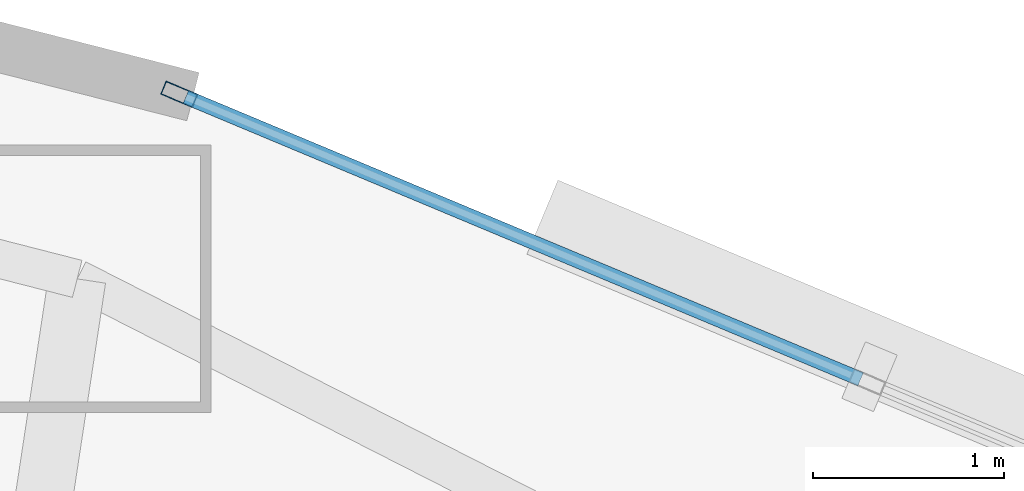
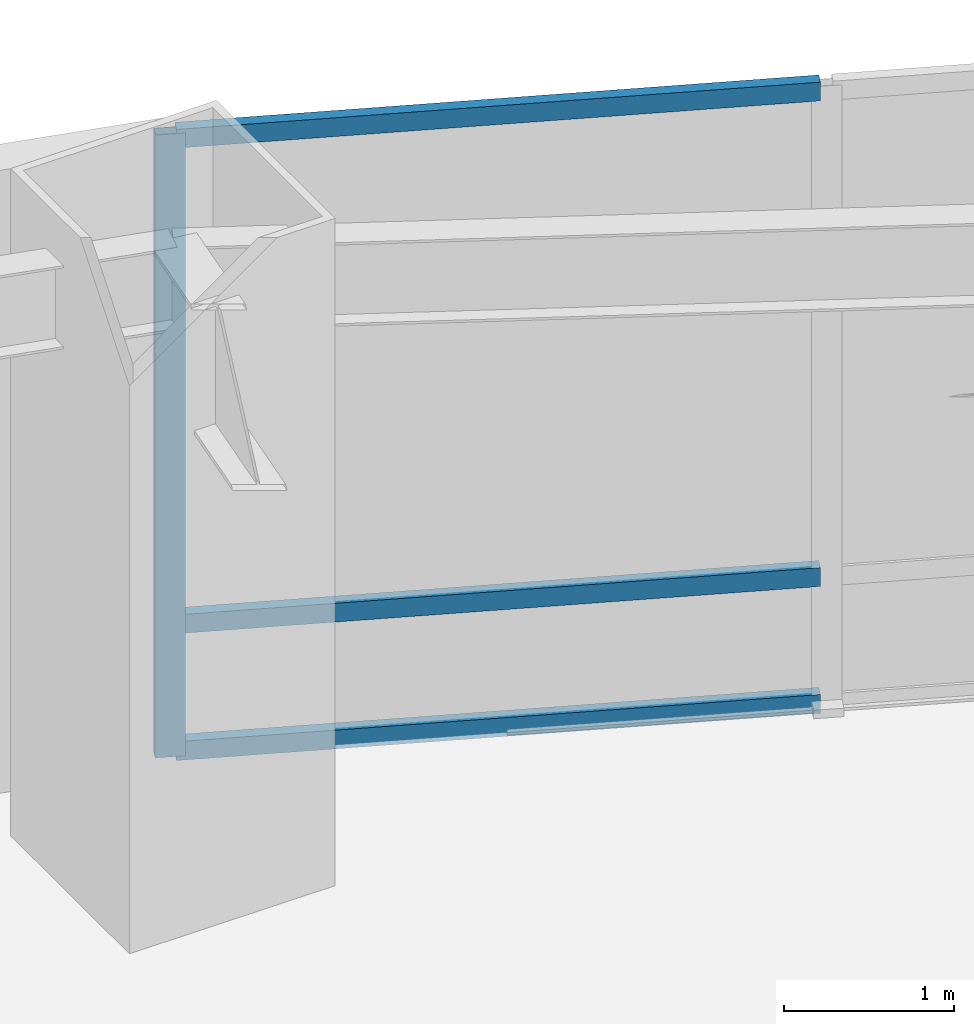
# One storey, part 12 of 18: 4 members, 1 element without a shape of its own.
"""IFC4 building model written with IfcOpenShell, lengths in metres."""

import ifcopenshell
import ifcopenshell.guid

model = None  # the IFC model being written
_history = None  # IfcOwnerHistory: only IFC2X3 demands one
_inside = {}  # id of a spatial element -> (the spatial element, [elements in it])
_under = {}  # id of a project, library or spatial element -> (it, [spatial elements below it])
_declared = {}  # id of a project -> (the project, [libraries it declares])
_typed = {}  # id of a type object -> (the type object, [elements of that type])
_made_of = {}  # id of a material, layer set ... -> (it, [elements and type objects made of it])


def new_model(schema):
    """Start an empty IFC model of exactly this schema.

    Asked for "IFC4X3", IfcOpenShell would pick the latest addendum, in which some entities
    have other attributes; the version numbers below select the first issue.
    IFC2X3 requires an IfcOwnerHistory on every rooted entity: one is made here for all.
    """
    global model, _history
    if schema == "IFC4X3":
        model = ifcopenshell.file(schema_version=(4, 3, 0, 0))
    else:
        model = ifcopenshell.file(schema=schema)
    _inside.clear()
    _under.clear()
    _declared.clear()
    _typed.clear()
    _made_of.clear()
    _history = None
    if model.schema == "IFC2X3":
        org = make("IfcOrganization", Name="unknown")
        user = make(
            "IfcPersonAndOrganization",
            ThePerson=make("IfcPerson", FamilyName="unknown"),
            TheOrganization=org,
        )
        app = make(
            "IfcApplication",
            ApplicationDeveloper=org,
            Version="unknown",
            ApplicationFullName="unknown",
            ApplicationIdentifier="unknown",
        )
        _history = make(
            "IfcOwnerHistory",
            OwningUser=user,
            OwningApplication=app,
            ChangeAction="ADDED",
            CreationDate=0,
        )
    return model


def make(cls, **values):
    """One entity of the class cls with the attributes given. An attribute that is None is left unset."""
    return model.create_entity(
        cls, **{name: value for name, value in values.items() if value is not None}
    )


def rooted(cls, **values):
    """An entity with a GlobalId (a new one), such as an element, a storey or a relation."""
    return make(cls, GlobalId=ifcopenshell.guid.new(), OwnerHistory=_history, **values)


def si_unit(unit_type, name, prefix=None):
    """IfcSIUnit, for example si_unit("LENGTHUNIT", "METRE", prefix="MILLI")."""
    return make("IfcSIUnit", UnitType=unit_type, Prefix=prefix, Name=name)


def assignment(units):
    """IfcUnitAssignment: the units of a project."""
    return None if units is None else make("IfcUnitAssignment", Units=units)


def point(xyz):
    """IfcCartesianPoint."""
    return None if xyz is None else make("IfcCartesianPoint", Coordinates=xyz)


def direction(xyz):
    """IfcDirection."""
    return None if xyz is None else make("IfcDirection", DirectionRatios=xyz)


def frame(location, z_axis=None, x_axis=None):
    """IfcAxis2Placement3D, a coordinate frame: its origin and axes. An axis left out is left unset."""
    return make(
        "IfcAxis2Placement3D",
        Location=point(location),
        Axis=direction(z_axis),
        RefDirection=direction(x_axis),
    )


def frame_2d(location, x_axis=None):
    """IfcAxis2Placement2D, a coordinate frame in the plane: its origin and x axis."""
    return make(
        "IfcAxis2Placement2D", Location=point(location), RefDirection=direction(x_axis)
    )


def origin():
    """The frame at (0, 0, 0) with its axes left unset."""
    return frame((0.0, 0.0, 0.0))


def origin_2d():
    """The frame at (0, 0) in the plane with its x axis left unset."""
    return frame_2d((0.0, 0.0))


def place(relative_to, where):
    """IfcLocalPlacement: puts the frame where relative to a parent placement (None: the world)."""
    return make(
        "IfcLocalPlacement", PlacementRelTo=relative_to, RelativePlacement=where
    )


def context(
    kind, dimensions, precision=None, world=None, true_north=None, identifier=None
):
    """IfcGeometricRepresentationContext, for example the 3D "Model" context."""
    return make(
        "IfcGeometricRepresentationContext",
        ContextIdentifier=identifier,
        ContextType=kind,
        CoordinateSpaceDimension=dimensions,
        Precision=precision,
        WorldCoordinateSystem=world,
        TrueNorth=true_north,
    )


def subcontext(parent, identifier, kind, view, scale=None):
    """IfcGeometricRepresentationSubContext, for example "Body" below "Model"."""
    return make(
        "IfcGeometricRepresentationSubContext",
        ContextIdentifier=identifier,
        ContextType=kind,
        ParentContext=parent,
        TargetScale=scale,
        TargetView=view,
    )


def project(units=None, contexts=None):
    """IfcProject with its units and contexts."""
    return rooted(
        "IfcProject",
        Name="project",
        RepresentationContexts=contexts,
        UnitsInContext=assignment(units),
    )


def spatial(cls, under=None, at=None, **own):
    """A site, building, storey or space (cls), placed at a placement, below another one or the project."""
    s = rooted(cls, ObjectPlacement=at, **own)
    if under is not None:
        _under.setdefault(under.id(), (under, []))[1].append(s)
    return s


def profile(cls, at=None, kind="AREA", **sizes):
    """A parametric profile (cls). Its sizes go by their IFC names, for example OverallWidth=200.0."""
    return make(cls, ProfileType=kind, Position=at, **sizes)


def hollow_rectangle(**sizes):
    """IfcRectangleHollowProfileDef."""
    return profile("IfcRectangleHollowProfileDef", **sizes)


def extrude(swept, where, along, depth):
    """IfcExtrudedAreaSolid: the profile swept, set in the frame where, extruded along a direction by depth."""
    return make(
        "IfcExtrudedAreaSolid",
        SweptArea=swept,
        Position=where,
        ExtrudedDirection=direction(along),
        Depth=depth,
    )


def shape(context_of_items, identifier, shape_type, items):
    """IfcShapeRepresentation: the items that make up one representation, for example the "Body"."""
    return make(
        "IfcShapeRepresentation",
        ContextOfItems=context_of_items,
        RepresentationIdentifier=identifier,
        RepresentationType=shape_type,
        Items=items,
    )


def material(Name=None, Category=None):
    """IfcMaterial."""
    return make("IfcMaterial", Name=Name, Category=Category)


def layer(
    of_material, thickness, ventilated=None, Name=None, Category=None, Priority=None
):
    """IfcMaterialLayer: one layer of a wall or slab, of a material (None: an air gap)."""
    return make(
        "IfcMaterialLayer",
        Material=of_material,
        LayerThickness=thickness,
        IsVentilated=ventilated,
        Name=Name,
        Category=Category,
        Priority=Priority,
    )


def layer_set(layers, Name=None):
    """IfcMaterialLayerSet."""
    return make("IfcMaterialLayerSet", MaterialLayers=layers, LayerSetName=Name)


def material_profile(
    of_material, cross_section, Name=None, Category=None, Priority=None
):
    """IfcMaterialProfile: a cross section and its material."""
    return make(
        "IfcMaterialProfile",
        Name=Name,
        Material=of_material,
        Profile=cross_section,
        Priority=Priority,
        Category=Category,
    )


def profile_set(profiles, Name=None, composite=None):
    """IfcMaterialProfileSet."""
    return make(
        "IfcMaterialProfileSet",
        Name=Name,
        MaterialProfiles=profiles,
        CompositeProfile=composite,
    )


def made_of(thing, what):
    """Note that an element or type object is made of a material, layer set ...; save() writes the relation."""
    if what is not None:
        _made_of.setdefault(what.id(), (what, []))[1].append(thing)
    return thing


def type_object(cls, material=None, **own):
    """A type object (cls), such as IfcWallType, which elements share."""
    return made_of(rooted(cls, **own), material)


def element(
    cls,
    number,
    at=None,
    inside=None,
    cuts=None,
    type_object=None,
    material=None,
    context=None,
    identifier="Body",
    shape_type=None,
    held_by="IfcProductDefinitionShape",
    body=None,
    shapes=None,
    **own,
):
    """One element of the class cls, such as IfcWall. Its Tag is "e" and its number.

    at: its placement. inside: the storey or other place that contains it. cuts: it is an
    opening in that element (IfcRelVoidsElement). A single representation is given by context,
    identifier, shape_type and body (its items); several are given by shapes. held_by: the class
    of the entity that holds the representations. save() writes the other relations.
    """
    e = rooted(cls, Tag="e%d" % number, ObjectPlacement=at, **own)
    if body is not None:
        shapes = [shape(context, identifier, shape_type, body)]
    if shapes is not None:
        e.Representation = make(held_by, Representations=shapes)
    if inside is not None:
        _inside.setdefault(inside.id(), (inside, []))[1].append(e)
    if cuts is not None:
        rooted(
            "IfcRelVoidsElement", RelatingBuildingElement=cuts, RelatedOpeningElement=e
        )
    if type_object is not None:
        _typed.setdefault(type_object.id(), (type_object, []))[1].append(e)
    return made_of(e, material)


def aggregate(whole, parts):
    """IfcRelAggregates: a whole, such as a stair, and the parts it consists of."""
    return rooted("IfcRelAggregates", RelatingObject=whole, RelatedObjects=parts)


def save(model, path):
    """Write the relations noted so far, then the file.

    IfcRelAggregates (storeys below a building ...), IfcRelContainedInSpatialStructure (elements
    in a storey), IfcRelDefinesByType, IfcRelAssociatesMaterial and IfcRelDeclares: one each for
    every whole, place, type object, material and project.
    """
    for whole, parts in _under.values():
        aggregate(whole, parts)
    for where, things in _inside.values():
        rooted(
            "IfcRelContainedInSpatialStructure",
            RelatedElements=things,
            RelatingStructure=where,
        )
    for kind, things in _typed.values():
        rooted("IfcRelDefinesByType", RelatedObjects=things, RelatingType=kind)
    for what, things in _made_of.values():
        rooted("IfcRelAssociatesMaterial", RelatedObjects=things, RelatingMaterial=what)
    for by, libraries in _declared.values():
        rooted("IfcRelDeclares", RelatingContext=by, RelatedDefinitions=libraries)
    model.write(path)


model = new_model("IFC4")

# Units and contexts
model_context = context("Model", 3, precision=1e-05, world=origin(), true_north=direction((0.0, 1.0)))
body_context = subcontext(model_context, "Body", "Model", "MODEL_VIEW")
ifc_project = project(units=[si_unit("LENGTHUNIT", "METRE"), si_unit("AREAUNIT", "SQUARE_METRE"), si_unit("VOLUMEUNIT", "CUBIC_METRE"), si_unit("PLANEANGLEUNIT", "RADIAN"), si_unit("MASSUNIT", "GRAM", prefix="KILO")], contexts=[model_context])

# Site, building, storey
site_placement = place(None, origin())
site = spatial("IfcSite", under=ifc_project, at=site_placement, CompositionType="ELEMENT")
building_placement = place(site_placement, origin())
building = spatial("IfcBuilding", under=site, at=building_placement, Name="Menara Vayukalpa", CompositionType="ELEMENT")
storey_placement = place(building_placement, frame((0.0, 0.0, 7.199951171875)))
storey = spatial("IfcBuildingStorey", under=building, at=storey_placement, Name="L01", CompositionType="ELEMENT", Elevation=7.199951171875)

# Curtain wall, members
ifc_material_1 = material(Name="Anodised Terracotta Aluminium Alloy 6063-T6", Category="masonry")
ifc_layer = layer(ifc_material_1, 0.179931640625)
ifc_layer_set = layer_set([ifc_layer], Name="Anodised Terracotta Aluminium Alloy 6063-T6")
curtain_wall_type = type_object("IfcCurtainWallType", Name="CW-CW1", PredefinedType="USERDEFINED", material=ifc_layer_set)
curtain_wall_placement = place(storey_placement, origin())
curtain_wall = element("IfcCurtainWall", 1, at=curtain_wall_placement, inside=storey, type_object=curtain_wall_type, Name="L01 Podium Unitised Ribbon Curtain Wall CW1 05", ObjectType="UNITISED", PredefinedType="USERDEFINED")
ifc_material_2 = material(Name="Anodised Terracotta Aluminium Alloy 6063-T6", Category="masonry")
ifc_material_profile_1 = material_profile(ifc_material_2, hollow_rectangle(XDim=0.074951171875, YDim=0.179931640625, WallThickness=0.00390625, at=origin_2d()), Name="ALU 75x180x4")
ifc_profile_set_1 = profile_set([ifc_material_profile_1], Name="Anodised Terracotta Aluminium Alloy 6063-T6")
member_type_1 = type_object("IfcMemberType", Name="CWM-CW1", PredefinedType="MULLION", material=ifc_profile_set_1)
member_1_placement = place(storey_placement, frame((24.00927734375, 37.16552734375, 0.0), z_axis=(0.0, 0.0, 1.0), x_axis=(-0.385890613077, -0.922544543499, 0.0)))
member_1 = element("IfcMember", 2, at=member_1_placement, type_object=member_type_1, Name="CW1 mullion 3", PredefinedType="MULLION", context=body_context, shape_type="SweptSolid", body=[
    extrude(hollow_rectangle(XDim=0.074951171875, YDim=0.179931640625, WallThickness=0.00390625, at=origin_2d()), origin(), (0.0, 0.0, 1.0), 4.47998046875),
])
ifc_material_3 = material(Name="Anodised Terracotta Aluminium Alloy 6063-T6", Category="masonry")
ifc_material_profile_2 = material_profile(ifc_material_3, hollow_rectangle(XDim=0.074951171875, YDim=0.135009765625, WallThickness=0.00390625, at=origin_2d()), Name="ALU 75x135x4")
ifc_profile_set_2 = profile_set([ifc_material_profile_2], Name="Anodised Terracotta Aluminium Alloy 6063-T6")
member_type_2 = type_object("IfcMemberType", Name="CWT-CW1", PredefinedType="USERDEFINED", material=ifc_profile_set_2)
member_2_placement = place(storey_placement, frame((27.573486328125, 35.6748046875, 0.03759765625), z_axis=(-0.922549314237, 0.385879207525, 0.0), x_axis=(-0.385879207525, -0.922549314237, 0.0)))
member_2 = element("IfcMember", 3, at=member_2_placement, type_object=member_type_2, Name="CW1 transom 2.1", ObjectType="TRANSOM", PredefinedType="USERDEFINED", context=body_context, shape_type="SweptSolid", body=[
    extrude(hollow_rectangle(XDim=0.074951171875, YDim=0.135009765625, WallThickness=0.00390625, at=origin_2d()), origin(), (0.0, 0.0, 1.0), 3.825927734375),
])
member_3_placement = place(storey_placement, frame((27.573486328125, 35.6748046875, 0.949951171875), z_axis=(-0.922549314237, 0.385879207525, 0.0), x_axis=(-0.385879207525, -0.922549314237, 0.0)))
member_3 = element("IfcMember", 4, at=member_3_placement, type_object=member_type_2, Name="CW1 transom 2.2", ObjectType="TRANSOM", PredefinedType="USERDEFINED", context=body_context, shape_type="SweptSolid", body=[
    extrude(hollow_rectangle(XDim=0.074951171875, YDim=0.135009765625, WallThickness=0.00390625, at=origin_2d()), origin(), (0.0, 0.0, 1.0), 3.825927734375),
])
member_4_placement = place(storey_placement, frame((27.573486328125, 35.6748046875, 4.442626953125), z_axis=(-0.922549314237, 0.385879207525, 0.0), x_axis=(-0.385879207525, -0.922549314237, 0.0)))
member_4 = element("IfcMember", 5, at=member_4_placement, type_object=member_type_2, Name="CW1 transom 2.3", ObjectType="TRANSOM", PredefinedType="USERDEFINED", context=body_context, shape_type="SweptSolid", body=[
    extrude(hollow_rectangle(XDim=0.074951171875, YDim=0.135009765625, WallThickness=0.00390625, at=origin_2d()), origin(), (0.0, 0.0, 1.0), 3.825927734375),
])
aggregate(curtain_wall, [member_1, member_2, member_3, member_4])

save(model, "model.ifc")
